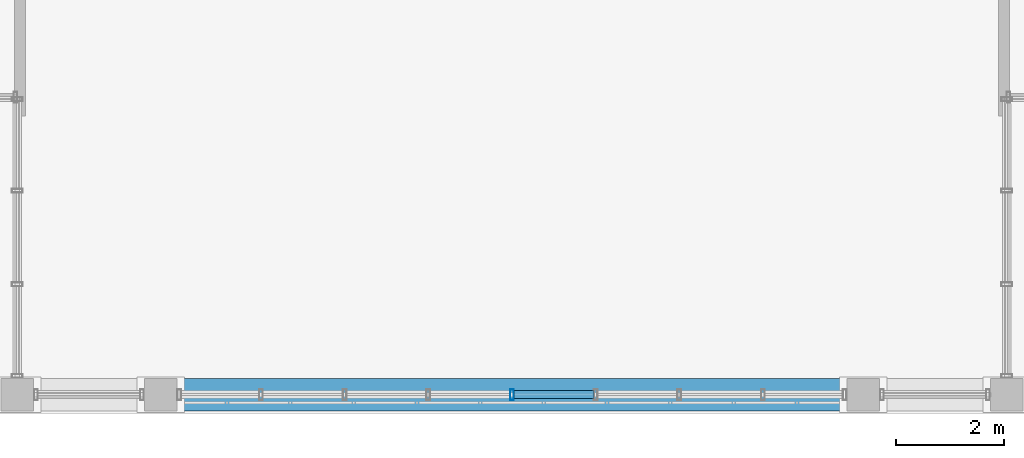
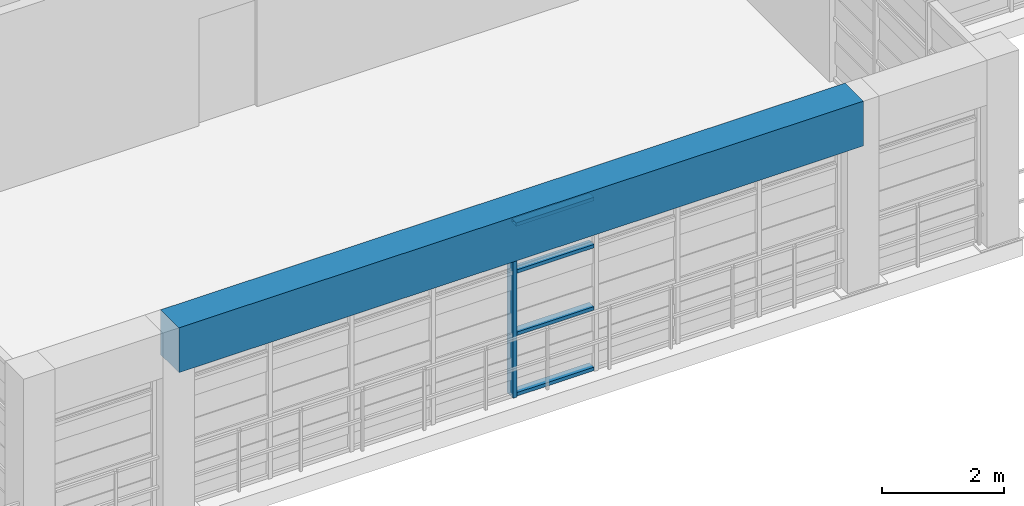
# One storey, part 3 of 24: 5 members, 1 beam, 1 element without a shape of its own.
"""IFC4 building model written with IfcOpenShell, lengths in metres."""

from ifc_helpers import new_model, si_unit, direction, frame, origin, origin_2d, place, context, subcontext, project, spatial, rectangle, hollow_rectangle, extrude, source, transform, mapped, material, layer, layer_set, material_profile, profile_set, type_object, element, aggregate, save


model = new_model("IFC4")

# Units and contexts
model_context = context("Model", 3, precision=1e-05, world=origin(), true_north=direction((0.0, 1.0)))
body_context = subcontext(model_context, "Body", "Model", "MODEL_VIEW")
ifc_project = project(units=[si_unit("LENGTHUNIT", "METRE"), si_unit("AREAUNIT", "SQUARE_METRE"), si_unit("VOLUMEUNIT", "CUBIC_METRE"), si_unit("PLANEANGLEUNIT", "RADIAN"), si_unit("MASSUNIT", "GRAM", prefix="KILO")], contexts=[model_context])

# Site, building, storey
site_placement = place(None, origin())
site = spatial("IfcSite", under=ifc_project, at=site_placement, CompositionType="ELEMENT")
building_placement = place(site_placement, origin())
building = spatial("IfcBuilding", under=site, at=building_placement, Name="Saelheon Loggia Tower", CompositionType="ELEMENT")
storey_placement = place(building_placement, frame((0.0, 0.0, 252.199951171875)))
storey = spatial("IfcBuildingStorey", under=building, at=storey_placement, Name="CR1", CompositionType="ELEMENT", Elevation=252.199951171875)

# Beam
ifc_material_1 = material(Name="Precast Concrete C45/55", Category="concrete")
ifc_material_profile_1 = material_profile(ifc_material_1, rectangle(XDim=0.60009765625, YDim=0.89990234375, at=origin_2d()), Name="RC-600x900")
ifc_profile_set_1 = profile_set([ifc_material_profile_1], Name="Precast Concrete C45/55")
beam_type = type_object("IfcBeamType", Name="CrownFrame_Ring_RC600x900", PredefinedType="BEAM", material=ifc_profile_set_1)
shared_shape_1 = source(origin(), body_context, "Body", "SweptSolid", [
    extrude(rectangle(XDim=0.60009765625, YDim=0.89990234375, at=origin_2d()), origin(), (0.0, 0.0, 1.0), 13.0),
])
beam_placement = place(storey_placement, frame((31.5, 6.35009765625, 3.35009765625), z_axis=(1.0, 0.0, 0.0), x_axis=(0.0, 1.0, 0.0)))
element("IfcBeam", 1, at=beam_placement, inside=storey, type_object=beam_type, Name="CR1 CROWN FRAME Sill Beam 02", PredefinedType="BEAM", context=body_context, shape_type="MappedRepresentation", body=[
    mapped(shared_shape_1, transform((0.0, 0.0, 0.0), scale=1.0)),
])

# Curtain wall, members
ifc_material_2 = material(Name="Bronze-Anodised Aluminium and Fritted Ceramic Screen", Category="aluminium")
ifc_layer = layer(ifc_material_2, 0.219970703125)
ifc_layer_set = layer_set([ifc_layer], Name="Bronze-Anodised Aluminium and Fritted Ceramic Screen")
curtain_wall_type = type_object("IfcCurtainWallType", Name="CW_CrownScreen", PredefinedType="NOTDEFINED", material=ifc_layer_set)
curtain_wall_placement = place(storey_placement, origin())
curtain_wall = element("IfcCurtainWall", 2, at=curtain_wall_placement, inside=storey, type_object=curtain_wall_type, Name="CR1 Crown Screen Curtain Wall 0-2", PredefinedType="NOTDEFINED")
ifc_material_3 = material(Name="Bronze-Anodised Aluminium 6063-T6", Category="aluminium")
ifc_material_profile_2 = material_profile(ifc_material_3, hollow_rectangle(XDim=0.070068359375, YDim=0.199951171875, WallThickness=0.0048828125, at=origin_2d()), Name="RHS-200x70x5")
ifc_profile_set_2 = profile_set([ifc_material_profile_2], Name="Bronze-Anodised Aluminium 6063-T6")
member_type_1 = type_object("IfcMemberType", Name="CW_CrownScreen_Mullion", PredefinedType="MULLION", material=ifc_profile_set_2)
shared_shape_2 = source(origin(), body_context, "Body", "SweptSolid", [
    extrude(hollow_rectangle(XDim=0.070068359375, YDim=0.199951171875, WallThickness=0.0048828125, at=origin_2d()), origin(), (0.0, 0.0, 1.0), 3.47998046875),
])
member_1_placement = place(storey_placement, frame((38.0, 6.35009765625, 0.0), z_axis=(0.0, 0.0, 1.0), x_axis=(1.0, 0.0, 0.0)))
member_1 = element("IfcMember", 3, at=member_1_placement, type_object=member_type_1, Name="CW6 mullion 5", PredefinedType="MULLION", context=body_context, shape_type="MappedRepresentation", body=[
    mapped(shared_shape_2, transform((0.0, 0.0, 0.0), scale=1.0)),
])
ifc_material_profile_3 = material_profile(ifc_material_3, hollow_rectangle(XDim=0.070068359375, YDim=0.14990234375, WallThickness=0.0048828125, at=origin_2d()), Name="RHS-150x70x5")
ifc_profile_set_3 = profile_set([ifc_material_profile_3], Name="Bronze-Anodised Aluminium 6063-T6")
member_type_2 = type_object("IfcMemberType", Name="CW_CrownScreen_Transom", PredefinedType="USERDEFINED", material=ifc_profile_set_3)
shared_shape_3 = source(origin(), body_context, "Body", "SweptSolid", [
    extrude(hollow_rectangle(XDim=0.070068359375, YDim=0.14990234375, WallThickness=0.0048828125, at=origin_2d()), origin(), (0.0, 0.0, 1.0), 1.4775390625),
])
member_2_placement = place(storey_placement, frame((38.034912109375, 6.35009765625, 0.03515625), z_axis=(1.0, 0.0, 0.0), x_axis=(0.0, 0.0, 1.0)))
member_2 = element("IfcMember", 4, at=member_2_placement, type_object=member_type_2, Name="CW6 transom 5.1", ObjectType="TRANSOM", PredefinedType="USERDEFINED", context=body_context, shape_type="MappedRepresentation", body=[
    mapped(shared_shape_3, transform((0.0, 0.0, 0.0), scale=1.0)),
])
member_3_placement = place(storey_placement, frame((38.034912109375, 6.35009765625, 1.25), z_axis=(1.0, 0.0, 0.0), x_axis=(0.0, 0.0, 1.0)))
member_3 = element("IfcMember", 5, at=member_3_placement, type_object=member_type_2, Name="CW6 transom 5.2", ObjectType="TRANSOM", PredefinedType="USERDEFINED", context=body_context, shape_type="MappedRepresentation", body=[
    mapped(shared_shape_3, transform((0.0, 0.0, 0.0), scale=1.0)),
])
member_4_placement = place(storey_placement, frame((38.034912109375, 6.35009765625, 2.5), z_axis=(1.0, 0.0, 0.0), x_axis=(0.0, 0.0, 1.0)))
member_4 = element("IfcMember", 6, at=member_4_placement, type_object=member_type_2, Name="CW6 transom 5.3", ObjectType="TRANSOM", PredefinedType="USERDEFINED", context=body_context, shape_type="MappedRepresentation", body=[
    mapped(shared_shape_3, transform((0.0, 0.0, 0.0), scale=1.0)),
])
member_5_placement = place(storey_placement, frame((38.034912109375, 6.35009765625, 3.445068359375), z_axis=(1.0, 0.0, 0.0), x_axis=(0.0, 0.0, 1.0)))
member_5 = element("IfcMember", 7, at=member_5_placement, type_object=member_type_2, Name="CW6 transom 5.4", ObjectType="TRANSOM", PredefinedType="USERDEFINED", context=body_context, shape_type="MappedRepresentation", body=[
    mapped(shared_shape_3, transform((0.0, 0.0, 0.0), scale=1.0)),
])
aggregate(curtain_wall, [member_1, member_2, member_3, member_4, member_5])

save(model, "model.ifc")
